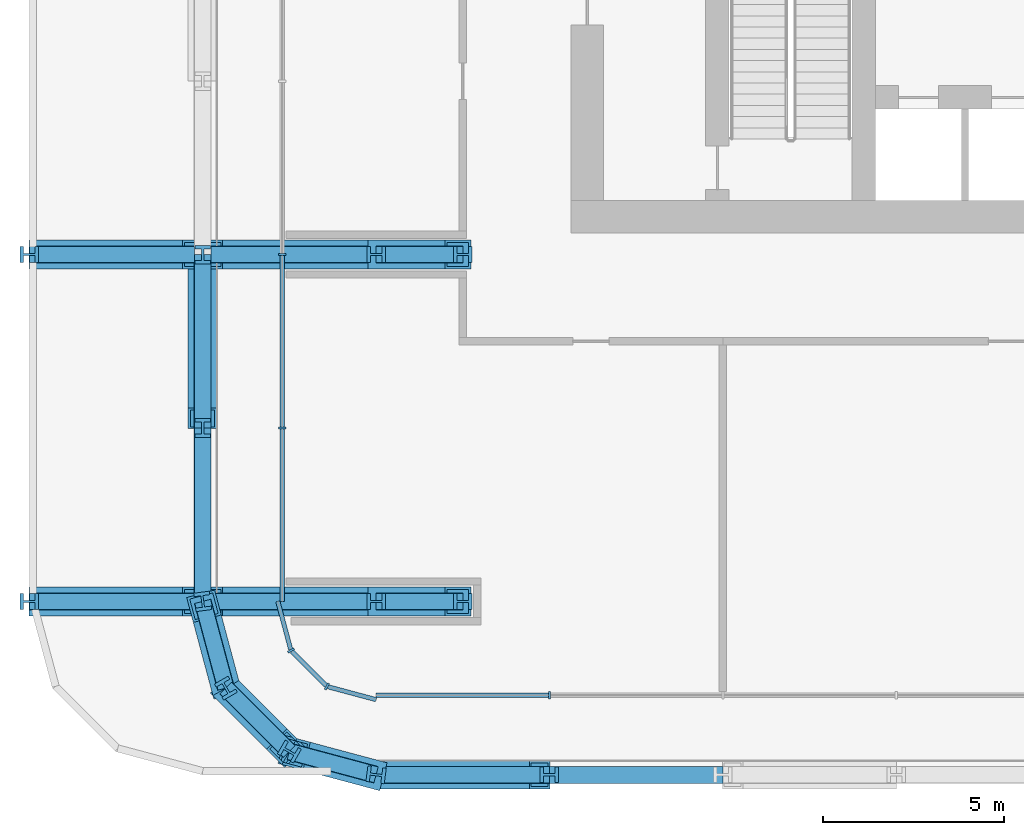
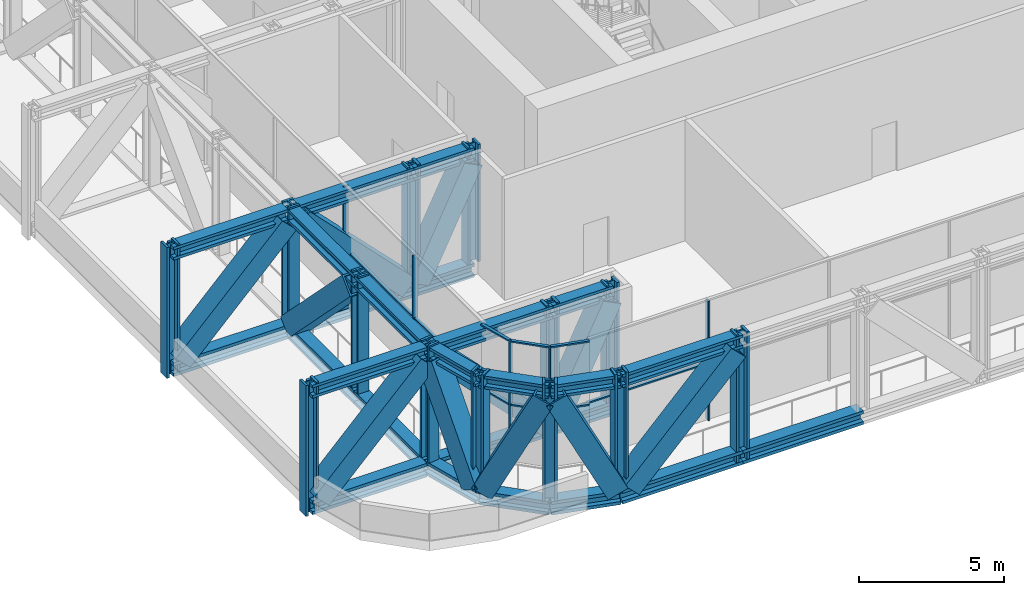
# One storey, part 1 of 30: 63 members, 3 elements without a shape of their own.
"""IFC4 building model written with IfcOpenShell, lengths in metres."""

from ifc_helpers import new_model, si_unit, direction, frame, origin, origin_2d, place, context, subcontext, project, spatial, rectangle, hollow_rectangle, i_section, extrude, material, layer, layer_set, material_profile, profile_set, type_object, element, aggregate, save


model = new_model("IFC4")

# Units and contexts
model_context = context("Model", 3, precision=1e-05, world=origin(), true_north=direction((0.0, 1.0)))
body_context = subcontext(model_context, "Body", "Model", "MODEL_VIEW")
ifc_project = project(units=[si_unit("LENGTHUNIT", "METRE"), si_unit("AREAUNIT", "SQUARE_METRE"), si_unit("VOLUMEUNIT", "CUBIC_METRE"), si_unit("PLANEANGLEUNIT", "RADIAN"), si_unit("MASSUNIT", "GRAM", prefix="KILO")], contexts=[model_context])

# Site, building, storey
site_placement = place(None, origin())
site = spatial("IfcSite", under=ifc_project, at=site_placement, CompositionType="ELEMENT")
building_placement = place(site_placement, origin())
building = spatial("IfcBuilding", under=site, at=building_placement, Name="Madar Terraces", CompositionType="ELEMENT")
storey_placement = place(building_placement, frame((0.0, 0.0, 53.89990234375)))
storey = spatial("IfcBuildingStorey", under=building, at=storey_placement, Name="L13", CompositionType="ELEMENT", Elevation=53.89990234375)

# Members
ifc_material_1 = material(Name="Steel ASTM A913 Grade 65", Category="steel")
ifc_material_profile_1 = material_profile(ifc_material_1, i_section(OverallWidth=0.472412109375, OverallDepth=0.5791015625, WebThickness=0.094970703125, FlangeThickness=0.130126953125, at=origin_2d()), Name="W14x808")
ifc_profile_set_1 = profile_set([ifc_material_profile_1], Name="Steel ASTM A913 Grade 65")
member_type_1 = type_object("IfcMemberType", Name="BC2 W14x808", PredefinedType="CHORD", material=ifc_profile_set_1)
member_1_placement = place(storey_placement, frame((9.60009765625, 0.0, -0.13037109375), z_axis=(1.0, 0.0, 0.0), x_axis=(0.0, 1.0, 0.0)))
element("IfcMember", 1, at=member_1_placement, inside=storey, type_object=member_type_1, Name="Exoskeleton truss ring bottom chord BC2", PredefinedType="CHORD", context=body_context, shape_type="SweptSolid", body=[
    extrude(i_section(OverallWidth=0.472412109375, OverallDepth=0.5791015625, WebThickness=0.094970703125, FlangeThickness=0.130126953125, at=origin_2d()), origin(), (0.0, 0.0, 1.0), 4.7998046875),
])
member_2_placement = place(storey_placement, frame((14.39990234375, 0.0, -0.13037109375), z_axis=(1.0, 0.0, 0.0), x_axis=(0.0, 1.0, 0.0)))
element("IfcMember", 2, at=member_2_placement, inside=storey, type_object=member_type_1, Name="Exoskeleton truss ring bottom chord BC2", PredefinedType="CHORD", context=body_context, shape_type="SweptSolid", body=[
    extrude(i_section(OverallWidth=0.472412109375, OverallDepth=0.5791015625, WebThickness=0.094970703125, FlangeThickness=0.130126953125, at=origin_2d()), origin(), (0.0, 0.0, 1.0), 4.800048828125),
])
member_3_placement = place(storey_placement, frame((4.800048828125, 14.39990234375, -0.13037109375), z_axis=(0.0, -1.0, 0.0), x_axis=(1.0, 0.0, 0.0)))
element("IfcMember", 3, at=member_3_placement, inside=storey, type_object=member_type_1, Name="Exoskeleton truss ring bottom chord BC2", PredefinedType="CHORD", context=body_context, shape_type="SweptSolid", body=[
    extrude(i_section(OverallWidth=0.472412109375, OverallDepth=0.5791015625, WebThickness=0.094970703125, FlangeThickness=0.130126953125, at=origin_2d()), origin(), (0.0, 0.0, 1.0), 4.7998046875),
])
member_4_placement = place(storey_placement, frame((4.800048828125, 9.60009765625, -0.13037109375), z_axis=(0.0, -1.0, 0.0), x_axis=(1.0, 0.0, 0.0)))
element("IfcMember", 4, at=member_4_placement, inside=storey, type_object=member_type_1, Name="Exoskeleton truss ring bottom chord BC2", PredefinedType="CHORD", context=body_context, shape_type="SweptSolid", body=[
    extrude(i_section(OverallWidth=0.472412109375, OverallDepth=0.5791015625, WebThickness=0.094970703125, FlangeThickness=0.130126953125, at=origin_2d()), origin(), (0.0, 0.0, 1.0), 4.800048828125),
])
member_5_placement = place(storey_placement, frame((4.800048828125, 4.800048828125, -0.13037109375), z_axis=(0.258799930484, -0.965930947833, 0.0), x_axis=(0.965930947833, 0.258799930484, 0.0)))
element("IfcMember", 5, at=member_5_placement, inside=storey, type_object=member_type_1, Name="Exoskeleton truss ring bottom chord BC2", PredefinedType="CHORD", context=body_context, shape_type="SweptSolid", body=[
    extrude(i_section(OverallWidth=0.472412109375, OverallDepth=0.5791015625, WebThickness=0.094970703125, FlangeThickness=0.130126953125, at=origin_2d()), origin(), (0.0, 0.0, 1.0), 2.48486328125),
])
member_6_placement = place(storey_placement, frame((5.443115234375, 2.39990234375, -0.13037109375), z_axis=(0.707106781187, -0.707106781187, 0.0), x_axis=(0.707106781187, 0.707106781187, 0.0)))
element("IfcMember", 6, at=member_6_placement, inside=storey, type_object=member_type_1, Name="Exoskeleton truss ring bottom chord BC2", PredefinedType="CHORD", context=body_context, shape_type="SweptSolid", body=[
    extrude(i_section(OverallWidth=0.472412109375, OverallDepth=0.5791015625, WebThickness=0.094970703125, FlangeThickness=0.130126953125, at=origin_2d()), origin(), (0.0, 0.0, 1.0), 2.484619140625),
])
member_7_placement = place(storey_placement, frame((7.199951171875, 0.64306640625, -0.13037109375), z_axis=(0.965930947833, -0.258799930484, 0.0), x_axis=(0.258799930484, 0.965930947833, 0.0)))
element("IfcMember", 7, at=member_7_placement, inside=storey, type_object=member_type_1, Name="Exoskeleton truss ring bottom chord BC2", PredefinedType="CHORD", context=body_context, shape_type="SweptSolid", body=[
    extrude(i_section(OverallWidth=0.472412109375, OverallDepth=0.5791015625, WebThickness=0.094970703125, FlangeThickness=0.130126953125, at=origin_2d()), origin(), (0.0, 0.0, 1.0), 2.48486328125),
])
member_8_placement = place(storey_placement, frame((0.0, 4.800048828125, -0.13037109375), z_axis=(1.0, 0.0, 0.0), x_axis=(0.0, 1.0, 0.0)))
element("IfcMember", 8, at=member_8_placement, inside=storey, type_object=member_type_1, Name="Exoskeleton truss cross W4.8 bottom chord BC2", PredefinedType="CHORD", context=body_context, shape_type="SweptSolid", body=[
    extrude(i_section(OverallWidth=0.472412109375, OverallDepth=0.5791015625, WebThickness=0.094970703125, FlangeThickness=0.130126953125, at=origin_2d()), origin(), (0.0, 0.0, 1.0), 4.563720703125),
])
member_9_placement = place(storey_placement, frame((5.0361328125, 4.800048828125, -0.13037109375), z_axis=(1.0, 0.0, 0.0), x_axis=(0.0, 1.0, 0.0)))
element("IfcMember", 9, at=member_9_placement, inside=storey, type_object=member_type_1, Name="Exoskeleton truss cross W4.8 bottom chord BC2", PredefinedType="CHORD", context=body_context, shape_type="SweptSolid", body=[
    extrude(i_section(OverallWidth=0.472412109375, OverallDepth=0.5791015625, WebThickness=0.094970703125, FlangeThickness=0.130126953125, at=origin_2d()), origin(), (0.0, 0.0, 1.0), 4.56396484375),
])
member_10_placement = place(storey_placement, frame((9.60009765625, 4.800048828125, -0.13037109375), z_axis=(1.0, 0.0, 0.0), x_axis=(0.0, 1.0, 0.0)))
element("IfcMember", 10, at=member_10_placement, inside=storey, type_object=member_type_1, Name="Exoskeleton truss cross W4.8 bottom chord BC2", PredefinedType="CHORD", context=body_context, shape_type="SweptSolid", body=[
    extrude(i_section(OverallWidth=0.472412109375, OverallDepth=0.5791015625, WebThickness=0.094970703125, FlangeThickness=0.130126953125, at=origin_2d()), origin(), (0.0, 0.0, 1.0), 2.39990234375),
])
member_11_placement = place(storey_placement, frame((0.0, 14.39990234375, -0.13037109375), z_axis=(1.0, 0.0, 0.0), x_axis=(0.0, 1.0, 0.0)))
element("IfcMember", 11, at=member_11_placement, inside=storey, type_object=member_type_1, Name="Exoskeleton truss cross W14.4 bottom chord BC2", PredefinedType="CHORD", context=body_context, shape_type="SweptSolid", body=[
    extrude(i_section(OverallWidth=0.472412109375, OverallDepth=0.5791015625, WebThickness=0.094970703125, FlangeThickness=0.130126953125, at=origin_2d()), origin(), (0.0, 0.0, 1.0), 4.563720703125),
])
member_12_placement = place(storey_placement, frame((5.0361328125, 14.39990234375, -0.13037109375), z_axis=(1.0, 0.0, 0.0), x_axis=(0.0, 1.0, 0.0)))
element("IfcMember", 12, at=member_12_placement, inside=storey, type_object=member_type_1, Name="Exoskeleton truss cross W14.4 bottom chord BC2", PredefinedType="CHORD", context=body_context, shape_type="SweptSolid", body=[
    extrude(i_section(OverallWidth=0.472412109375, OverallDepth=0.5791015625, WebThickness=0.094970703125, FlangeThickness=0.130126953125, at=origin_2d()), origin(), (0.0, 0.0, 1.0), 4.56396484375),
])
member_13_placement = place(storey_placement, frame((9.60009765625, 14.39990234375, -0.13037109375), z_axis=(1.0, 0.0, 0.0), x_axis=(0.0, 1.0, 0.0)))
element("IfcMember", 13, at=member_13_placement, inside=storey, type_object=member_type_1, Name="Exoskeleton truss cross W14.4 bottom chord BC2", PredefinedType="CHORD", context=body_context, shape_type="SweptSolid", body=[
    extrude(i_section(OverallWidth=0.472412109375, OverallDepth=0.5791015625, WebThickness=0.094970703125, FlangeThickness=0.130126953125, at=origin_2d()), origin(), (0.0, 0.0, 1.0), 2.39990234375),
])

# Curtain wall, member
ifc_material_2 = material(Name="Glass, ceramic frit dark grey, with black aluminium frame", Category="aluminium")
ifc_layer = layer(ifc_material_2, 0.199951171875)
ifc_layer_set = layer_set([ifc_layer], Name="Facade curtain wall, tall glazing")
curtain_wall_type = type_object("IfcCurtainWallType", Name="Facade curtain wall, tall glazing", PredefinedType="NOTDEFINED", material=ifc_layer_set)
curtain_wall_1_placement = place(storey_placement, origin())
curtain_wall_1 = element("IfcCurtainWall", 14, at=curtain_wall_1_placement, inside=storey, type_object=curtain_wall_type, Name="Outer skin curtain wall south bay 1", PredefinedType="NOTDEFINED")
ifc_material_3 = material(Name="Aluminium, black anodised", Category="aluminium")
ifc_material_profile_2 = material_profile(ifc_material_3, rectangle(XDim=0.199951171875, YDim=0.06005859375, at=origin_2d()), Name="Facade mullion 60x200")
ifc_profile_set_2 = profile_set([ifc_material_profile_2], Name="Aluminium, black anodised")
member_type_2 = type_object("IfcMemberType", Name="Facade mullion 60x200", PredefinedType="MULLION", material=ifc_profile_set_2)
member_14_placement = place(storey_placement, frame((14.39990234375, 2.199951171875, 0.0), z_axis=(0.0, 0.0, 1.0), x_axis=(0.0, 1.0, 0.0)))
member_14 = element("IfcMember", 15, at=member_14_placement, type_object=member_type_2, Name="Mullion 1", PredefinedType="MULLION", context=body_context, shape_type="SweptSolid", body=[
    extrude(rectangle(XDim=0.199951171875, YDim=0.06005859375, at=origin_2d()), origin(), (0.0, 0.0, 1.0), 5.0400390625),
])

# Curtain wall, members
curtain_wall_2_placement = place(storey_placement, origin())
curtain_wall_2 = element("IfcCurtainWall", 16, at=curtain_wall_2_placement, inside=storey, type_object=curtain_wall_type, Name="Outer skin curtain wall west bay 1", PredefinedType="NOTDEFINED")
member_15_placement = place(storey_placement, frame((7.0, 14.39990234375, 0.0), z_axis=(0.0, 0.0, 1.0), x_axis=(1.0, 0.0, 0.0)))
member_15 = element("IfcMember", 17, at=member_15_placement, type_object=member_type_2, Name="Mullion 6", PredefinedType="MULLION", context=body_context, shape_type="SweptSolid", body=[
    extrude(rectangle(XDim=0.199951171875, YDim=0.06005859375, at=origin_2d()), origin(), (0.0, 0.0, 1.0), 5.0400390625),
])
member_16_placement = place(storey_placement, frame((7.0, 9.60009765625, 0.0), z_axis=(0.0, 0.0, 1.0), x_axis=(1.0, 0.0, 0.0)))
member_16 = element("IfcMember", 18, at=member_16_placement, type_object=member_type_2, Name="Mullion 7", PredefinedType="MULLION", context=body_context, shape_type="SweptSolid", body=[
    extrude(rectangle(XDim=0.199951171875, YDim=0.06005859375, at=origin_2d()), origin(), (0.0, 0.0, 1.0), 5.0400390625),
])

curtain_wall_3_placement = place(storey_placement, origin())
curtain_wall_3 = element("IfcCurtainWall", 19, at=curtain_wall_3_placement, inside=storey, type_object=curtain_wall_type, Name="Outer skin curtain wall south-west corner", PredefinedType="NOTDEFINED")
member_17_placement = place(storey_placement, frame((7.244384765625, 3.43994140625, 0.0), z_axis=(0.0, 0.0, 1.0), x_axis=(0.866025386925, 0.500000029202, 0.0)))
member_17 = element("IfcMember", 20, at=member_17_placement, type_object=member_type_2, Name="Mullion 1", PredefinedType="MULLION", context=body_context, shape_type="SweptSolid", body=[
    extrude(rectangle(XDim=0.199951171875, YDim=0.06005859375, at=origin_2d()), origin(), (0.0, 0.0, 1.0), 5.0400390625),
])
member_18_placement = place(storey_placement, frame((8.239990234375, 2.4443359375, 0.0), z_axis=(0.0, 0.0, 1.0), x_axis=(0.500000029202, 0.866025386925, 0.0)))
member_18 = element("IfcMember", 21, at=member_18_placement, type_object=member_type_2, Name="Mullion 2", PredefinedType="MULLION", context=body_context, shape_type="SweptSolid", body=[
    extrude(rectangle(XDim=0.199951171875, YDim=0.06005859375, at=origin_2d()), origin(), (0.0, 0.0, 1.0), 5.0400390625),
])

# Member
ifc_material_4 = material(Name="Aluminium, black anodised", Category="aluminium")
ifc_material_profile_3 = material_profile(ifc_material_4, rectangle(XDim=0.1201171875, YDim=0.06005859375, at=origin_2d()), Name="Facade transom 60x120")
ifc_profile_set_3 = profile_set([ifc_material_profile_3], Name="Aluminium, black anodised")
member_type_3 = type_object("IfcMemberType", Name="Facade transom 60x120", PredefinedType="USERDEFINED", material=ifc_profile_set_3)
member_19_placement = place(storey_placement, frame((9.60009765625, 2.199951171875, 2.400146484375), z_axis=(1.0, 0.0, 0.0), x_axis=(0.0, 1.0, 0.0)))
member_19 = element("IfcMember", 22, at=member_19_placement, type_object=member_type_3, Name="Transom 2", ObjectType="TRANSOM", PredefinedType="USERDEFINED", context=body_context, shape_type="SweptSolid", body=[
    extrude(rectangle(XDim=0.1201171875, YDim=0.06005859375, at=origin_2d()), origin(), (0.0, 0.0, 1.0), 4.77001953125),
])

aggregate(curtain_wall_1, [member_14, member_19])

member_20_placement = place(storey_placement, frame((7.0, 14.3701171875, 2.400146484375), z_axis=(0.0, -1.0, 0.0), x_axis=(1.0, 0.0, 0.0)))
member_20 = element("IfcMember", 23, at=member_20_placement, type_object=member_type_3, Name="Transom 8", ObjectType="TRANSOM", PredefinedType="USERDEFINED", context=body_context, shape_type="SweptSolid", body=[
    extrude(rectangle(XDim=0.1201171875, YDim=0.06005859375, at=origin_2d()), origin(), (0.0, 0.0, 1.0), 4.740234375),
])

member_21_placement = place(storey_placement, frame((7.0, 9.570068359375, 2.400146484375), z_axis=(0.0, -1.0, 0.0), x_axis=(1.0, 0.0, 0.0)))
member_21 = element("IfcMember", 24, at=member_21_placement, type_object=member_type_3, Name="Transom 9", ObjectType="TRANSOM", PredefinedType="USERDEFINED", context=body_context, shape_type="SweptSolid", body=[
    extrude(rectangle(XDim=0.1201171875, YDim=0.06005859375, at=origin_2d()), origin(), (0.0, 0.0, 1.0), 4.77001953125),
])

aggregate(curtain_wall_2, [member_15, member_16, member_20, member_21])

member_22_placement = place(storey_placement, frame((6.8798828125, 4.800048828125, 5.070068359375), z_axis=(0.258842352791, -0.965919580711, 0.0), x_axis=(0.965919580711, 0.258842352791, 0.0)))
member_22 = element("IfcMember", 25, at=member_22_placement, type_object=member_type_3, Name="Transom 1", ObjectType="TRANSOM", PredefinedType="USERDEFINED", context=body_context, shape_type="SweptSolid", body=[
    extrude(rectangle(XDim=0.1201171875, YDim=0.06005859375, at=origin_2d()), origin(), (0.0, 0.0, 1.0), 1.3779296875),
])

member_23_placement = place(storey_placement, frame((6.8798828125, 4.800048828125, 2.400146484375), z_axis=(0.258842352791, -0.965919580711, 0.0), x_axis=(0.965919580711, 0.258842352791, 0.0)))
member_23 = element("IfcMember", 26, at=member_23_placement, type_object=member_type_3, Name="Transom 2", ObjectType="TRANSOM", PredefinedType="USERDEFINED", context=body_context, shape_type="SweptSolid", body=[
    extrude(rectangle(XDim=0.1201171875, YDim=0.06005859375, at=origin_2d()), origin(), (0.0, 0.0, 1.0), 1.3779296875),
])

member_24_placement = place(storey_placement, frame((7.265625, 3.418701171875, 5.070068359375), z_axis=(0.707106781187, -0.707106781187, 0.0), x_axis=(0.707106781187, 0.707106781187, 0.0)))
member_24 = element("IfcMember", 27, at=member_24_placement, type_object=member_type_3, Name="Transom 3", ObjectType="TRANSOM", PredefinedType="USERDEFINED", context=body_context, shape_type="SweptSolid", body=[
    extrude(rectangle(XDim=0.1201171875, YDim=0.06005859375, at=origin_2d()), origin(), (0.0, 0.0, 1.0), 1.347900390625),
])

member_25_placement = place(storey_placement, frame((7.265625, 3.418701171875, 2.400146484375), z_axis=(0.707106781187, -0.707106781187, 0.0), x_axis=(0.707106781187, 0.707106781187, 0.0)))
member_25 = element("IfcMember", 28, at=member_25_placement, type_object=member_type_3, Name="Transom 4", ObjectType="TRANSOM", PredefinedType="USERDEFINED", context=body_context, shape_type="SweptSolid", body=[
    extrude(rectangle(XDim=0.1201171875, YDim=0.06005859375, at=origin_2d()), origin(), (0.0, 0.0, 1.0), 1.347900390625),
])

member_26_placement = place(storey_placement, frame((8.26904296875, 2.436767578125, 5.070068359375), z_axis=(0.965919580711, -0.258842352791, 0.0), x_axis=(0.258842352791, 0.965919580711, 0.0)))
member_26 = element("IfcMember", 29, at=member_26_placement, type_object=member_type_3, Name="Transom 5", ObjectType="TRANSOM", PredefinedType="USERDEFINED", context=body_context, shape_type="SweptSolid", body=[
    extrude(rectangle(XDim=0.1201171875, YDim=0.06005859375, at=origin_2d()), origin(), (0.0, 0.0, 1.0), 1.3779296875),
])

member_27_placement = place(storey_placement, frame((8.26904296875, 2.436767578125, 2.400146484375), z_axis=(0.965919580711, -0.258842352791, 0.0), x_axis=(0.258842352791, 0.965919580711, 0.0)))
member_27 = element("IfcMember", 30, at=member_27_placement, type_object=member_type_3, Name="Transom 6", ObjectType="TRANSOM", PredefinedType="USERDEFINED", context=body_context, shape_type="SweptSolid", body=[
    extrude(rectangle(XDim=0.1201171875, YDim=0.06005859375, at=origin_2d()), origin(), (0.0, 0.0, 1.0), 1.3779296875),
])

aggregate(curtain_wall_3, [member_17, member_22, member_23, member_18, member_24, member_25, member_26, member_27])

# Members
ifc_material_5 = material(Name="Steel ASTM A913 Grade 65", Category="steel")
ifc_material_profile_4 = material_profile(ifc_material_5, i_section(OverallWidth=0.449462890625, OverallDepth=0.548583984375, WebThickness=0.07177734375, FlangeThickness=0.11474609375, at=origin_2d()), Name="W14x665")
ifc_profile_set_4 = profile_set([ifc_material_profile_4], Name="Steel ASTM A913 Grade 65")
member_type_4 = type_object("IfcMemberType", Name="TC2 W14x665", PredefinedType="CHORD", material=ifc_profile_set_4)
for number, where, z_axis, x_axis, name in (
    (31, (9.60009765625, 0.0, 4.755859375), (1.0, 0.0, 0.0), (0.0, 1.0, 0.0), "Exoskeleton truss ring top chord TC2"),
    (32, (4.800048828125, 14.39990234375, 4.755859375), (0.0, -1.0, 0.0), (1.0, 0.0, 0.0), "Exoskeleton truss ring top chord TC2"),
):
    element("IfcMember", number, at=place(storey_placement, frame(where, z_axis=z_axis, x_axis=x_axis)), inside=storey, type_object=member_type_4, Name=name, PredefinedType="CHORD", context=body_context, shape_type="SweptSolid", body=[
        extrude(i_section(OverallWidth=0.449462890625, OverallDepth=0.548583984375, WebThickness=0.07177734375, FlangeThickness=0.11474609375, at=origin_2d()), origin(), (0.0, 0.0, 1.0), 4.7998046875),
    ])
member_28_placement = place(storey_placement, frame((4.800048828125, 9.60009765625, 4.755859375), z_axis=(0.0, -1.0, 0.0), x_axis=(1.0, 0.0, 0.0)))
element("IfcMember", 33, at=member_28_placement, inside=storey, type_object=member_type_4, Name="Exoskeleton truss ring top chord TC2", PredefinedType="CHORD", context=body_context, shape_type="SweptSolid", body=[
    extrude(i_section(OverallWidth=0.449462890625, OverallDepth=0.548583984375, WebThickness=0.07177734375, FlangeThickness=0.11474609375, at=origin_2d()), origin(), (0.0, 0.0, 1.0), 4.800048828125),
])
member_29_placement = place(storey_placement, frame((4.800048828125, 4.800048828125, 4.755859375), z_axis=(0.258799930484, -0.965930947833, 0.0), x_axis=(0.965930947833, 0.258799930484, 0.0)))
element("IfcMember", 34, at=member_29_placement, inside=storey, type_object=member_type_4, Name="Exoskeleton truss ring top chord TC2", PredefinedType="CHORD", context=body_context, shape_type="SweptSolid", body=[
    extrude(i_section(OverallWidth=0.449462890625, OverallDepth=0.548583984375, WebThickness=0.07177734375, FlangeThickness=0.11474609375, at=origin_2d()), origin(), (0.0, 0.0, 1.0), 2.48486328125),
])
member_30_placement = place(storey_placement, frame((5.443115234375, 2.39990234375, 4.755859375), z_axis=(0.707106781187, -0.707106781187, 0.0), x_axis=(0.707106781187, 0.707106781187, 0.0)))
element("IfcMember", 35, at=member_30_placement, inside=storey, type_object=member_type_4, Name="Exoskeleton truss ring top chord TC2", PredefinedType="CHORD", context=body_context, shape_type="SweptSolid", body=[
    extrude(i_section(OverallWidth=0.449462890625, OverallDepth=0.548583984375, WebThickness=0.07177734375, FlangeThickness=0.11474609375, at=origin_2d()), origin(), (0.0, 0.0, 1.0), 2.484619140625),
])
member_31_placement = place(storey_placement, frame((7.199951171875, 0.64306640625, 4.755859375), z_axis=(0.965930947833, -0.258799930484, 0.0), x_axis=(0.258799930484, 0.965930947833, 0.0)))
element("IfcMember", 36, at=member_31_placement, inside=storey, type_object=member_type_4, Name="Exoskeleton truss ring top chord TC2", PredefinedType="CHORD", context=body_context, shape_type="SweptSolid", body=[
    extrude(i_section(OverallWidth=0.449462890625, OverallDepth=0.548583984375, WebThickness=0.07177734375, FlangeThickness=0.11474609375, at=origin_2d()), origin(), (0.0, 0.0, 1.0), 2.48486328125),
])
for number, where, z_axis, x_axis, name in (
    (37, (0.0, 4.800048828125, 4.755859375), (1.0, 0.0, 0.0), (0.0, 1.0, 0.0), "Exoskeleton truss cross W4.8 top chord TC2"),
    (38, (5.02490234375, 4.800048828125, 4.755859375), (1.0, 0.0, 0.0), (0.0, 1.0, 0.0), "Exoskeleton truss cross W4.8 top chord TC2"),
):
    element("IfcMember", number, at=place(storey_placement, frame(where, z_axis=z_axis, x_axis=x_axis)), inside=storey, type_object=member_type_4, Name=name, PredefinedType="CHORD", context=body_context, shape_type="SweptSolid", body=[
        extrude(i_section(OverallWidth=0.449462890625, OverallDepth=0.548583984375, WebThickness=0.07177734375, FlangeThickness=0.11474609375, at=origin_2d()), origin(), (0.0, 0.0, 1.0), 4.5751953125),
    ])
member_32_placement = place(storey_placement, frame((9.60009765625, 4.800048828125, 4.755859375), z_axis=(1.0, 0.0, 0.0), x_axis=(0.0, 1.0, 0.0)))
element("IfcMember", 39, at=member_32_placement, inside=storey, type_object=member_type_4, Name="Exoskeleton truss cross W4.8 top chord TC2", PredefinedType="CHORD", context=body_context, shape_type="SweptSolid", body=[
    extrude(i_section(OverallWidth=0.449462890625, OverallDepth=0.548583984375, WebThickness=0.07177734375, FlangeThickness=0.11474609375, at=origin_2d()), origin(), (0.0, 0.0, 1.0), 2.39990234375),
])
for number, where, z_axis, x_axis, name in (
    (40, (0.0, 14.39990234375, 4.755859375), (1.0, 0.0, 0.0), (0.0, 1.0, 0.0), "Exoskeleton truss cross W14.4 top chord TC2"),
    (41, (5.02490234375, 14.39990234375, 4.755859375), (1.0, 0.0, 0.0), (0.0, 1.0, 0.0), "Exoskeleton truss cross W14.4 top chord TC2"),
):
    element("IfcMember", number, at=place(storey_placement, frame(where, z_axis=z_axis, x_axis=x_axis)), inside=storey, type_object=member_type_4, Name=name, PredefinedType="CHORD", context=body_context, shape_type="SweptSolid", body=[
        extrude(i_section(OverallWidth=0.449462890625, OverallDepth=0.548583984375, WebThickness=0.07177734375, FlangeThickness=0.11474609375, at=origin_2d()), origin(), (0.0, 0.0, 1.0), 4.5751953125),
    ])
member_33_placement = place(storey_placement, frame((9.60009765625, 14.39990234375, 4.755859375), z_axis=(1.0, 0.0, 0.0), x_axis=(0.0, 1.0, 0.0)))
element("IfcMember", 42, at=member_33_placement, inside=storey, type_object=member_type_4, Name="Exoskeleton truss cross W14.4 top chord TC2", PredefinedType="CHORD", context=body_context, shape_type="SweptSolid", body=[
    extrude(i_section(OverallWidth=0.449462890625, OverallDepth=0.548583984375, WebThickness=0.07177734375, FlangeThickness=0.11474609375, at=origin_2d()), origin(), (0.0, 0.0, 1.0), 2.39990234375),
])
ifc_material_6 = material(Name="Steel ASTM A572 Grade 50", Category="steel")
ifc_material_profile_5 = material_profile(ifc_material_6, hollow_rectangle(XDim=0.800048828125, YDim=0.800048828125, WallThickness=0.070068359375, at=origin_2d()), Name="BOX800x800x70")
ifc_profile_set_5 = profile_set([ifc_material_profile_5], Name="Steel ASTM A572 Grade 50")
member_type_5 = type_object("IfcMemberType", Name="TD2 BOX800x800x70", PredefinedType="BRACE", material=ifc_profile_set_5)
for number, where, z_axis, x_axis, name in (
    (43, (9.884521484375, 0.0, 0.1591796875), (0.700792979798, 0.0, 0.713364702986), (0.0, 1.0, 0.0), "Exoskeleton truss ring diagonal TD2"),
    (44, (4.800048828125, 14.115478515625, 0.1591796875), (0.0, -0.700792979798, 0.713364702986), (1.0, 0.0, 0.0), "Exoskeleton truss ring diagonal TD2"),
):
    element("IfcMember", number, at=place(storey_placement, frame(where, z_axis=z_axis, x_axis=x_axis)), inside=storey, type_object=member_type_5, Name=name, PredefinedType="BRACE", context=body_context, shape_type="SweptSolid", body=[
        extrude(hollow_rectangle(XDim=0.800048828125, YDim=0.800048828125, WallThickness=0.070068359375, at=origin_2d()), origin(), (0.0, 0.0, 1.0), 6.05908203125),
    ])
for number, where, z_axis, x_axis, name in (
    (45, (4.836181640625, 4.665283203125, 4.4814453125), (0.117312128115, -0.437831015487, -0.89137077946), (0.965928219336, 0.258810113966, 0.0), "Exoskeleton truss ring diagonal TD2"),
    (46, (5.547119140625, 2.2958984375, 0.1591796875), (0.320517832742, -0.320517832742, 0.891367846508), (0.707106781187, 0.707106781187, 0.0), "Exoskeleton truss ring diagonal TD2"),
    (47, (7.334716796875, 0.60693359375, 4.4814453125), (0.437831015487, -0.117312128115, -0.89137077946), (0.258810113966, 0.965928219336, 0.0), "Exoskeleton truss ring diagonal TD2"),
):
    element("IfcMember", number, at=place(storey_placement, frame(where, z_axis=z_axis, x_axis=x_axis)), inside=storey, type_object=member_type_5, Name=name, PredefinedType="BRACE", context=body_context, shape_type="SweptSolid", body=[
        extrude(hollow_rectangle(XDim=0.800048828125, YDim=0.800048828125, WallThickness=0.070068359375, at=origin_2d()), origin(), (0.0, 0.0, 1.0), 4.84912109375),
    ])
member_34_placement = place(storey_placement, frame((0.284423828125, 4.800048828125, 0.1591796875), z_axis=(0.700792979798, 0.0, 0.713364702986), x_axis=(0.0, 1.0, 0.0)))
element("IfcMember", 48, at=member_34_placement, inside=storey, type_object=member_type_5, Name="Exoskeleton truss cross W4.8 diagonal TD2", PredefinedType="BRACE", context=body_context, shape_type="SweptSolid", body=[
    extrude(hollow_rectangle(XDim=0.800048828125, YDim=0.800048828125, WallThickness=0.070068359375, at=origin_2d()), origin(), (0.0, 0.0, 1.0), 6.05908203125),
])
member_35_placement = place(storey_placement, frame((5.069580078125, 4.800048828125, 4.4814453125), z_axis=(0.700772473755, 0.0, -0.713384847068), x_axis=(0.0, 1.0, 0.0)))
element("IfcMember", 49, at=member_35_placement, inside=storey, type_object=member_type_5, Name="Exoskeleton truss cross W4.8 diagonal TD2", PredefinedType="BRACE", context=body_context, shape_type="SweptSolid", body=[
    extrude(hollow_rectangle(XDim=0.800048828125, YDim=0.800048828125, WallThickness=0.070068359375, at=origin_2d()), origin(), (0.0, 0.0, 1.0), 6.058837890625),
])
member_36_placement = place(storey_placement, frame((9.7421875, 4.800048828125, 0.1591796875), z_axis=(0.440875217674, 0.0, 0.897568405438), x_axis=(0.0, 1.0, 0.0)))
element("IfcMember", 50, at=member_36_placement, inside=storey, type_object=member_type_5, Name="Exoskeleton truss cross W4.8 diagonal TD2", PredefinedType="BRACE", context=body_context, shape_type="SweptSolid", body=[
    extrude(hollow_rectangle(XDim=0.800048828125, YDim=0.800048828125, WallThickness=0.070068359375, at=origin_2d()), origin(), (0.0, 0.0, 1.0), 4.8154296875),
])
member_37_placement = place(storey_placement, frame((0.284423828125, 14.39990234375, 0.1591796875), z_axis=(0.700792979798, 0.0, 0.713364702986), x_axis=(0.0, 1.0, 0.0)))
element("IfcMember", 51, at=member_37_placement, inside=storey, type_object=member_type_5, Name="Exoskeleton truss cross W14.4 diagonal TD2", PredefinedType="BRACE", context=body_context, shape_type="SweptSolid", body=[
    extrude(hollow_rectangle(XDim=0.800048828125, YDim=0.800048828125, WallThickness=0.070068359375, at=origin_2d()), origin(), (0.0, 0.0, 1.0), 6.05908203125),
])
member_38_placement = place(storey_placement, frame((5.069580078125, 14.39990234375, 4.4814453125), z_axis=(0.700772473755, 0.0, -0.713384847068), x_axis=(0.0, 1.0, 0.0)))
element("IfcMember", 52, at=member_38_placement, inside=storey, type_object=member_type_5, Name="Exoskeleton truss cross W14.4 diagonal TD2", PredefinedType="BRACE", context=body_context, shape_type="SweptSolid", body=[
    extrude(hollow_rectangle(XDim=0.800048828125, YDim=0.800048828125, WallThickness=0.070068359375, at=origin_2d()), origin(), (0.0, 0.0, 1.0), 6.058837890625),
])
member_39_placement = place(storey_placement, frame((9.7421875, 14.39990234375, 0.1591796875), z_axis=(0.440875217674, 0.0, 0.897568405438), x_axis=(0.0, 1.0, 0.0)))
element("IfcMember", 53, at=member_39_placement, inside=storey, type_object=member_type_5, Name="Exoskeleton truss cross W14.4 diagonal TD2", PredefinedType="BRACE", context=body_context, shape_type="SweptSolid", body=[
    extrude(hollow_rectangle(XDim=0.800048828125, YDim=0.800048828125, WallThickness=0.070068359375, at=origin_2d()), origin(), (0.0, 0.0, 1.0), 4.8154296875),
])
ifc_material_7 = material(Name="Steel ASTM A913 Grade 65", Category="steel")
ifc_material_profile_6 = material_profile(ifc_material_7, i_section(OverallWidth=0.436767578125, OverallDepth=0.51318359375, WebThickness=0.060546875, FlangeThickness=0.096923828125, at=origin_2d()), Name="W14x550")
ifc_profile_set_6 = profile_set([ifc_material_profile_6], Name="Steel ASTM A913 Grade 65")
member_type_6 = type_object("IfcMemberType", Name="TV2 W14x550", PredefinedType="POST", material=ifc_profile_set_6)
member_40_placement = place(storey_placement, frame((9.60009765625, 0.0, 0.1591796875), z_axis=(0.0, 0.0, 1.0), x_axis=(0.130526174916, 0.991444863652, 0.0)))
element("IfcMember", 54, at=member_40_placement, inside=storey, type_object=member_type_6, Name="Exoskeleton truss ring post TV2", PredefinedType="POST", context=body_context, shape_type="SweptSolid", body=[
    extrude(i_section(OverallWidth=0.436767578125, OverallDepth=0.51318359375, WebThickness=0.060546875, FlangeThickness=0.096923828125, at=origin_2d()), origin(), (0.0, 0.0, 1.0), 4.94091796875),
])
member_41_placement = place(storey_placement, frame((14.39990234375, 0.0, -0.419921875), z_axis=(0.0, 0.0, 1.0), x_axis=(0.0, 1.0, 0.0)))
element("IfcMember", 55, at=member_41_placement, inside=storey, type_object=member_type_6, Name="Exoskeleton truss ring post TV2", PredefinedType="POST", context=body_context, shape_type="SweptSolid", body=[
    extrude(i_section(OverallWidth=0.436767578125, OverallDepth=0.51318359375, WebThickness=0.060546875, FlangeThickness=0.096923828125, at=origin_2d()), origin(), (0.0, 0.0, 1.0), 5.52001953125),
])
for number, where, z_axis, x_axis, name in (
    (56, (4.800048828125, 14.39990234375, 0.1591796875), (0.0, 0.0, 1.0), (1.0, 0.0, 0.0), "Exoskeleton truss ring post TV2"),
    (57, (4.800048828125, 9.60009765625, 0.1591796875), (0.0, 0.0, 1.0), (1.0, 0.0, 0.0), "Exoskeleton truss ring post TV2"),
    (58, (4.800048828125, 4.800048828125, 0.1591796875), (0.0, 0.0, 1.0), (0.991444863652, 0.130526174916, 0.0), "Exoskeleton truss ring post TV2"),
    (59, (5.443115234375, 2.39990234375, 0.1591796875), (0.0, 0.0, 1.0), (0.866025412511, 0.499999984885, 0.0), "Exoskeleton truss ring post TV2"),
    (60, (7.199951171875, 0.64306640625, 0.1591796875), (0.0, 0.0, 1.0), (0.499999984885, 0.866025412511, 0.0), "Exoskeleton truss ring post TV2"),
):
    element("IfcMember", number, at=place(storey_placement, frame(where, z_axis=z_axis, x_axis=x_axis)), inside=storey, type_object=member_type_6, Name=name, PredefinedType="POST", context=body_context, shape_type="SweptSolid", body=[
        extrude(i_section(OverallWidth=0.436767578125, OverallDepth=0.51318359375, WebThickness=0.060546875, FlangeThickness=0.096923828125, at=origin_2d()), origin(), (0.0, 0.0, 1.0), 4.94091796875),
    ])
member_42_placement = place(storey_placement, frame((0.0, 4.800048828125, -0.419921875), z_axis=(0.0, 0.0, 1.0), x_axis=(0.0, 1.0, 0.0)))
element("IfcMember", 61, at=member_42_placement, inside=storey, type_object=member_type_6, Name="Exoskeleton truss cross W4.8 post TV2", PredefinedType="POST", context=body_context, shape_type="SweptSolid", body=[
    extrude(i_section(OverallWidth=0.436767578125, OverallDepth=0.51318359375, WebThickness=0.060546875, FlangeThickness=0.096923828125, at=origin_2d()), origin(), (0.0, 0.0, 1.0), 5.52001953125),
])
for number, where, z_axis, x_axis, name in (
    (62, (9.60009765625, 4.800048828125, 0.1591796875), (0.0, 0.0, 1.0), (0.0, 1.0, 0.0), "Exoskeleton truss cross W4.8 post TV2"),
    (63, (12.0, 4.800048828125, 0.1591796875), (0.0, 0.0, 1.0), (0.0, 1.0, 0.0), "Exoskeleton truss cross W4.8 post TV2"),
):
    element("IfcMember", number, at=place(storey_placement, frame(where, z_axis=z_axis, x_axis=x_axis)), inside=storey, type_object=member_type_6, Name=name, PredefinedType="POST", context=body_context, shape_type="SweptSolid", body=[
        extrude(i_section(OverallWidth=0.436767578125, OverallDepth=0.51318359375, WebThickness=0.060546875, FlangeThickness=0.096923828125, at=origin_2d()), origin(), (0.0, 0.0, 1.0), 4.94091796875),
    ])
member_43_placement = place(storey_placement, frame((0.0, 14.39990234375, -0.419921875), z_axis=(0.0, 0.0, 1.0), x_axis=(0.0, 1.0, 0.0)))
element("IfcMember", 64, at=member_43_placement, inside=storey, type_object=member_type_6, Name="Exoskeleton truss cross W14.4 post TV2", PredefinedType="POST", context=body_context, shape_type="SweptSolid", body=[
    extrude(i_section(OverallWidth=0.436767578125, OverallDepth=0.51318359375, WebThickness=0.060546875, FlangeThickness=0.096923828125, at=origin_2d()), origin(), (0.0, 0.0, 1.0), 5.52001953125),
])
for number, where, z_axis, x_axis, name in (
    (65, (9.60009765625, 14.39990234375, 0.1591796875), (0.0, 0.0, 1.0), (0.0, 1.0, 0.0), "Exoskeleton truss cross W14.4 post TV2"),
    (66, (12.0, 14.39990234375, 0.1591796875), (0.0, 0.0, 1.0), (0.0, 1.0, 0.0), "Exoskeleton truss cross W14.4 post TV2"),
):
    element("IfcMember", number, at=place(storey_placement, frame(where, z_axis=z_axis, x_axis=x_axis)), inside=storey, type_object=member_type_6, Name=name, PredefinedType="POST", context=body_context, shape_type="SweptSolid", body=[
        extrude(i_section(OverallWidth=0.436767578125, OverallDepth=0.51318359375, WebThickness=0.060546875, FlangeThickness=0.096923828125, at=origin_2d()), origin(), (0.0, 0.0, 1.0), 4.94091796875),
    ])

save(model, "model.ifc")
